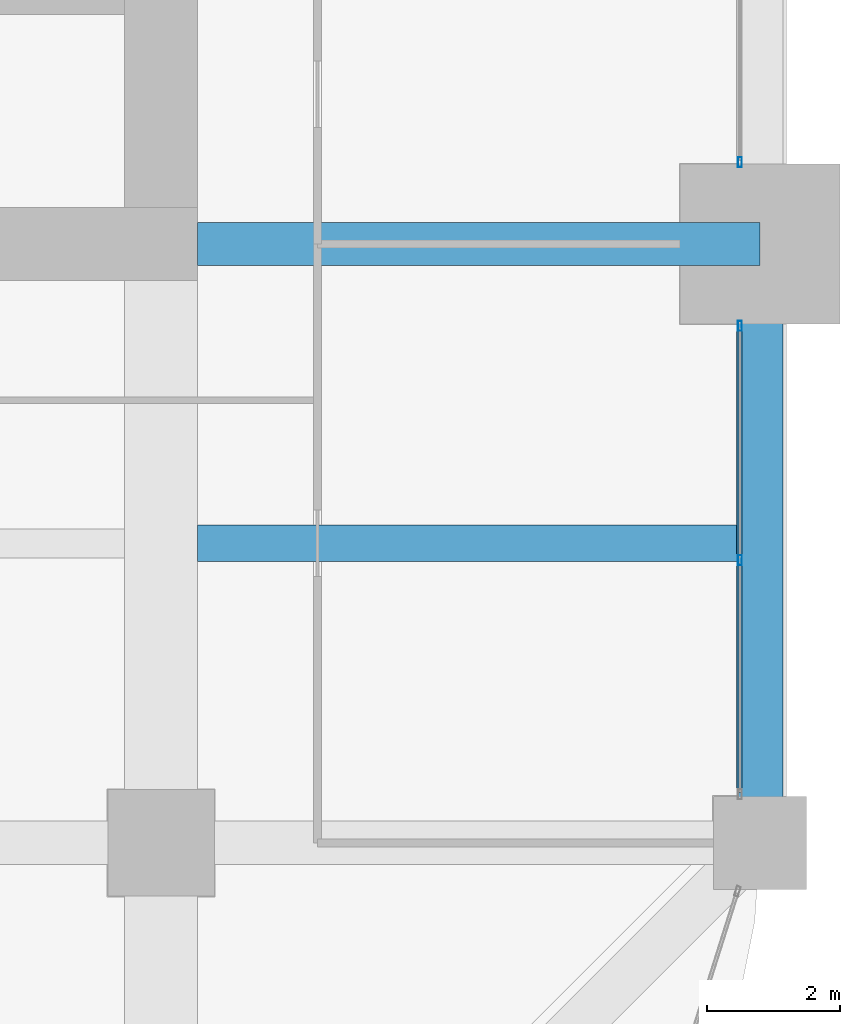
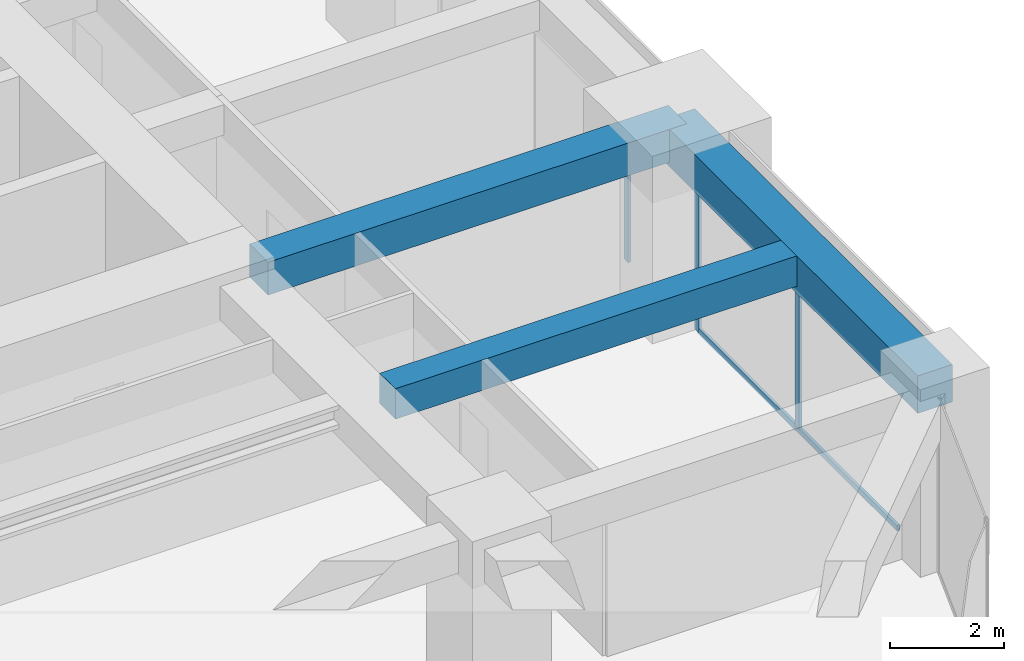
# One storey, part 17 of 32: 4 members, 3 beams, 2 elements without a shape of their own.
"""IFC4 building model written with IfcOpenShell, lengths in metres."""

from ifc_helpers import new_model, si_unit, direction, frame, origin, origin_2d, place, context, subcontext, project, spatial, rectangle, hollow_rectangle, extrude, material, material_profile, profile_set, type_object, element, aggregate, save


model = new_model("IFC4")

# Units and contexts
model_context = context("Model", 3, precision=1e-05, world=origin(), true_north=direction((0.0, 1.0)))
body_context = subcontext(model_context, "Body", "Model", "MODEL_VIEW")
ifc_project = project(units=[si_unit("LENGTHUNIT", "METRE"), si_unit("AREAUNIT", "SQUARE_METRE"), si_unit("VOLUMEUNIT", "CUBIC_METRE"), si_unit("PLANEANGLEUNIT", "RADIAN"), si_unit("MASSUNIT", "GRAM", prefix="KILO")], contexts=[model_context])

# Site, building, storey
site_placement = place(None, origin())
site = spatial("IfcSite", under=ifc_project, at=site_placement, CompositionType="ELEMENT")
building_placement = place(site_placement, origin())
building = spatial("IfcBuilding", under=site, at=building_placement, Name="Zorevar Civic Tower", CompositionType="ELEMENT")
storey_placement = place(building_placement, frame((0.0, 0.0, 182.199951171875)))
storey = spatial("IfcBuildingStorey", under=building, at=storey_placement, Name="L44", CompositionType="ELEMENT", Elevation=182.199951171875)

# Beams
ifc_material_1 = material(Name="Concrete C50/60", Category="concrete")
ifc_material_profile_1 = material_profile(ifc_material_1, rectangle(XDim=0.550048828125, YDim=0.64990234375, at=origin_2d()), Name="RC 550x650")
ifc_profile_set_1 = profile_set([ifc_material_profile_1], Name="Concrete C50/60")
beam_type_1 = type_object("IfcBeamType", Name="Beam RC 550x650", PredefinedType="BEAM", material=ifc_profile_set_1)
beam_1_placement = place(storey_placement, frame((45.550048828125, 13.5, 3.425048828125), z_axis=(1.0, 0.0, 0.0), x_axis=(0.0, 1.0, 0.0)))
element("IfcBeam", 1, at=beam_1_placement, inside=storey, type_object=beam_type_1, Name="Secondary beam L45", PredefinedType="BEAM", context=body_context, shape_type="SweptSolid", body=[
    extrude(rectangle(XDim=0.550048828125, YDim=0.64990234375, at=origin_2d()), origin(), (0.0, 0.0, 1.0), 8.099853515625),
])
ifc_material_2 = material(Name="Concrete C50/60", Category="concrete")
ifc_material_profile_2 = material_profile(ifc_material_2, rectangle(XDim=0.64990234375, YDim=0.699951171875, at=origin_2d()), Name="RC 650x700")
ifc_profile_set_2 = profile_set([ifc_material_profile_2], Name="Concrete C50/60")
beam_type_2 = type_object("IfcBeamType", Name="Beam RC 650x700", PredefinedType="BEAM", material=ifc_profile_set_2)
beam_2_placement = place(storey_placement, frame((45.550048828125, 18.0, 3.400146484375), z_axis=(1.0, 0.0, 0.0), x_axis=(0.0, 1.0, 0.0)))
element("IfcBeam", 2, at=beam_2_placement, inside=storey, type_object=beam_type_2, Name="Girder L45", PredefinedType="BEAM", context=body_context, shape_type="SweptSolid", body=[
    extrude(rectangle(XDim=0.64990234375, YDim=0.699951171875, at=origin_2d()), origin(), (0.0, 0.0, 1.0), 8.449951171875),
])

# Curtain wall, members
ifc_material_3 = material(Name="Dark grey solar-control glass in black aluminium frame", Category="aluminium")
curtain_wall_type = type_object("IfcCurtainWallType", Name="Curtain wall CW4 high zone", PredefinedType="NOTDEFINED", material=ifc_material_3)
curtain_wall_1_placement = place(storey_placement, origin())
curtain_wall_1 = element("IfcCurtainWall", 3, at=curtain_wall_1_placement, inside=storey, type_object=curtain_wall_type, Name="CW4 L44", PredefinedType="NOTDEFINED")
ifc_material_4 = material(Name="Aluminium, black anodised", Category="aluminium")
ifc_material_profile_3 = material_profile(ifc_material_4, hollow_rectangle(XDim=0.06005859375, YDim=0.14990234375, WallThickness=0.00390625, at=origin_2d()), Name="AL 150x60x4")
ifc_profile_set_3 = profile_set([ifc_material_profile_3], Name="Aluminium, black anodised")
member_type_1 = type_object("IfcMemberType", Name="CW4 mullion AL 150x60x4", PredefinedType="MULLION", material=ifc_profile_set_3)
member_1_placement = place(storey_placement, frame((53.699951171875, 13.25, 0.06005859375), z_axis=(0.0, 0.0, 1.0), x_axis=(-1.0, 0.0, 0.0)))
member_1 = element("IfcMember", 4, at=member_1_placement, type_object=member_type_1, Name="CW4 mullion 2", PredefinedType="MULLION", context=body_context, shape_type="SweptSolid", body=[
    extrude(hollow_rectangle(XDim=0.06005859375, YDim=0.14990234375, WallThickness=0.00390625, at=origin_2d()), origin(), (0.0, 0.0, 1.0), 2.889892578125),
])
member_2_placement = place(storey_placement, frame((53.699951171875, 16.77001953125, 0.0), z_axis=(0.0, 0.0, 1.0), x_axis=(-1.0, 0.0, 0.0)))
member_2 = element("IfcMember", 5, at=member_2_placement, type_object=member_type_1, Name="CW4 mullion 3", PredefinedType="MULLION", context=body_context, shape_type="SweptSolid", body=[
    extrude(hollow_rectangle(XDim=0.06005859375, YDim=0.14990234375, WallThickness=0.00390625, at=origin_2d()), origin(), (0.0, 0.0, 1.0), 2.949951171875),
])

# Curtain wall, member
curtain_wall_2_placement = place(storey_placement, origin())
curtain_wall_2 = element("IfcCurtainWall", 6, at=curtain_wall_2_placement, inside=storey, type_object=curtain_wall_type, Name="CW4 L44", PredefinedType="NOTDEFINED")
member_3_placement = place(storey_placement, frame((53.699951171875, 19.22998046875, 0.0), z_axis=(0.0, 0.0, 1.0), x_axis=(-1.0, 0.0, 0.0)))
member_3 = element("IfcMember", 7, at=member_3_placement, type_object=member_type_1, Name="CW4 mullion 1", PredefinedType="MULLION", context=body_context, shape_type="SweptSolid", body=[
    extrude(hollow_rectangle(XDim=0.06005859375, YDim=0.14990234375, WallThickness=0.00390625, at=origin_2d()), origin(), (0.0, 0.0, 1.0), 2.949951171875),
])
aggregate(curtain_wall_2, [member_3])

# Member
ifc_material_5 = material(Name="Aluminium, black anodised", Category="aluminium")
ifc_material_profile_4 = material_profile(ifc_material_5, hollow_rectangle(XDim=0.06005859375, YDim=0.1201171875, WallThickness=0.0029296875, at=origin_2d()), Name="AL 120x60x3")
ifc_profile_set_4 = profile_set([ifc_material_profile_4], Name="Aluminium, black anodised")
member_type_2 = type_object("IfcMemberType", Name="CW4 transom AL 120x60x3", PredefinedType="USERDEFINED", material=ifc_profile_set_4)
member_4_placement = place(storey_placement, frame((53.699951171875, 9.760009765625, 0.030029296875), z_axis=(0.0, 1.0, 0.0), x_axis=(-1.0, 0.0, 0.0)))
member_4 = element("IfcMember", 8, at=member_4_placement, type_object=member_type_2, Name="CW4 sill transom", ObjectType="TRANSOM", PredefinedType="USERDEFINED", context=body_context, shape_type="SweptSolid", body=[
    extrude(hollow_rectangle(XDim=0.06005859375, YDim=0.1201171875, WallThickness=0.0029296875, at=origin_2d()), origin(), (0.0, 0.0, 1.0), 6.97998046875),
])

aggregate(curtain_wall_1, [member_1, member_2, member_4])

# Beam
ifc_material_6 = material(Name="Concrete C50/60", Category="concrete")
ifc_material_profile_5 = material_profile(ifc_material_6, rectangle(XDim=0.699951171875, YDim=0.800048828125, at=origin_2d()), Name="RC 700x800")
ifc_profile_set_5 = profile_set([ifc_material_profile_5], Name="Concrete C50/60")
beam_type_3 = type_object("IfcBeamType", Name="Edge beam RC 700x800", PredefinedType="SPANDREL", material=ifc_profile_set_5)
beam_3_placement = place(storey_placement, frame((54.0, 9.0, 3.35009765625), z_axis=(0.0, 1.0, 0.0), x_axis=(-1.0, 0.0, 0.0)))
element("IfcBeam", 9, at=beam_3_placement, inside=storey, type_object=beam_type_3, Name="Edge beam L45", PredefinedType="SPANDREL", context=body_context, shape_type="SweptSolid", body=[
    extrude(rectangle(XDim=0.699951171875, YDim=0.800048828125, at=origin_2d()), origin(), (0.0, 0.0, 1.0), 9.0),
])

save(model, "model.ifc")
